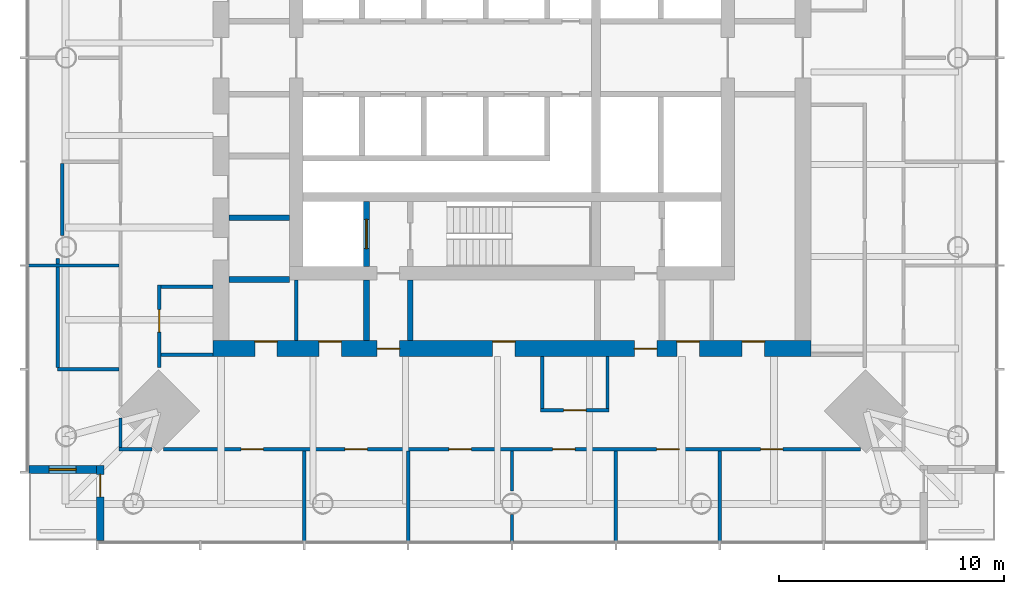
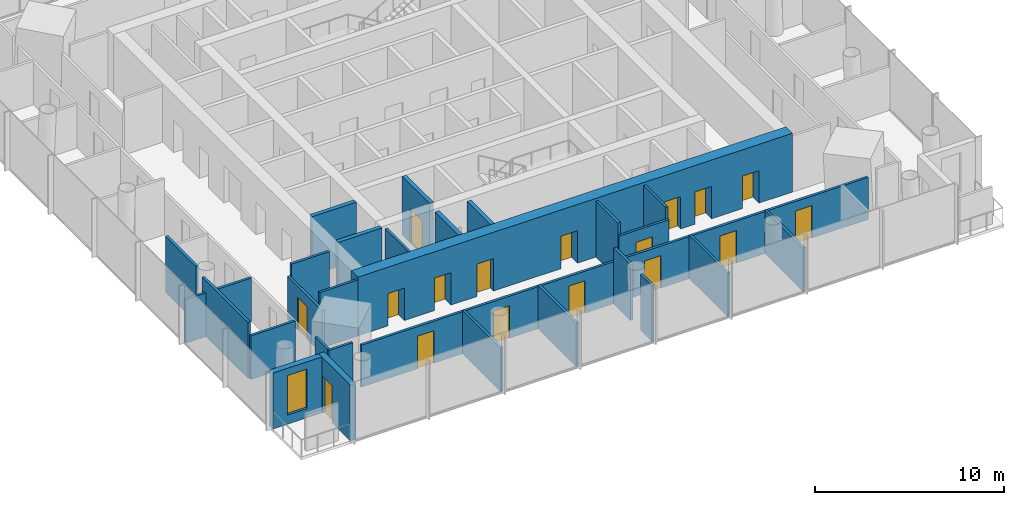
# One storey, part 4 of 9: 28 walls, 17 doors, 1 window, 18 openings.
"""IFC4 building model written with IfcOpenShell, lengths in metres."""

from ifc_helpers import new_model, si_unit, direction, frame, frame_2d, origin, place, context, subcontext, project, spatial, rectangle, extrude, material, layer, layer_set, type_object, element, fill, save


model = new_model("IFC4")

# Units and contexts
model_context = context("Model", 3, precision=1e-05, world=origin(), true_north=direction((0.0, 1.0)))
body_context = subcontext(model_context, "Body", "Model", "MODEL_VIEW")
ifc_project = project(units=[si_unit("LENGTHUNIT", "METRE"), si_unit("AREAUNIT", "SQUARE_METRE"), si_unit("VOLUMEUNIT", "CUBIC_METRE"), si_unit("PLANEANGLEUNIT", "RADIAN"), si_unit("MASSUNIT", "GRAM", prefix="KILO")], contexts=[model_context])

# Site, building, storey
site_placement = place(None, origin())
site = spatial("IfcSite", under=ifc_project, at=site_placement, CompositionType="ELEMENT")
building_placement = place(site_placement, origin())
building = spatial("IfcBuilding", under=site, at=building_placement, Name="Ostroluk Exchange", CompositionType="ELEMENT")
storey_placement = place(building_placement, frame((0.0, 0.0, 150.199951171875)))
storey = spatial("IfcBuildingStorey", under=building, at=storey_placement, Name="L38", CompositionType="ELEMENT", Elevation=150.199951171875)

# Walls
ifc_material_1 = material(Name="Concrete blockwork", Category="masonry")
ifc_layer_1 = layer(ifc_material_1, 0.14990234375)
ifc_layer_set_1 = layer_set([ifc_layer_1], Name="Blockwork plant room wall 150")
wall_type_1 = type_object("IfcWallType", Name="Blockwork plant room wall 150", PredefinedType="SOLIDWALL", material=ifc_layer_set_1)
wall_1_placement = place(storey_placement, frame((35.39990234375, 33.39990234375, 0.0), z_axis=(0.0, 0.0, 1.0), x_axis=(0.0, 1.0, 0.0)))
element("IfcWall", 1, at=wall_1_placement, inside=storey, type_object=wall_type_1, Name="Core room wall", PredefinedType="SOLIDWALL", context=body_context, shape_type="SweptSolid", body=[
    extrude(rectangle(XDim=2.7001953125, YDim=0.14990234375, at=frame_2d((1.35009765625, 0.0))), origin(), (0.0, 0.0, 1.0), 3.6201171875),
])
ifc_material_2 = material(Name="Concrete blockwork", Category="masonry")
ifc_layer_2 = layer(ifc_material_2, 0.25)
ifc_layer_set_2 = layer_set([ifc_layer_2], Name="Blockwork stair enclosure wall 250")
wall_type_2 = type_object("IfcWallType", Name="Blockwork stair enclosure wall 250", PredefinedType="SOLIDWALL", material=ifc_layer_set_2)
for number, where, z_axis, x_axis, name in (
    (2, (38.52490234375, 33.39990234375, 0.0), (0.0, 0.0, 1.0), (0.0, 1.0, 0.0), "Fire lobby enclosure wall"),
    (3, (40.47509765625, 33.39990234375, 0.0), (0.0, 0.0, 1.0), (0.0, 1.0, 0.0), "Fire lobby enclosure wall"),
):
    element("IfcWall", number, at=place(storey_placement, frame(where, z_axis=z_axis, x_axis=x_axis)), inside=storey, type_object=wall_type_2, Name=name, PredefinedType="SOLIDWALL", context=body_context, shape_type="SweptSolid", body=[
        extrude(rectangle(XDim=2.7001953125, YDim=0.25, at=frame_2d((1.35009765625, 0.0))), origin(), (0.0, 0.0, 1.0), 3.6201171875),
    ])

# Wall, opening, door
ifc_material_3 = material(Name="Concrete C40/50", Category="concrete")
ifc_layer_3 = layer(ifc_material_3, 0.25)
ifc_layer_set_3 = layer_set([ifc_layer_3], Name="Core shaft wall 250")
wall_type_3 = type_object("IfcWallType", Name="Core shaft wall 250", PredefinedType="SHEAR", material=ifc_layer_set_3)
wall_2_placement = place(storey_placement, frame((38.52490234375, 36.699951171875, 0.0), z_axis=(0.0, 0.0, 1.0), x_axis=(0.0, 1.0, 0.0)))
wall_2 = element("IfcWall", 4, at=wall_2_placement, inside=storey, type_object=wall_type_3, Name="Firefighting lift shaft wall", PredefinedType="SHEAR", context=body_context, shape_type="SweptSolid", body=[
    extrude(rectangle(XDim=2.900146484375, YDim=0.25, at=frame_2d((1.4501953125, 0.0))), origin(), (0.0, 0.0, 1.0), 3.800048828125),
])
opening_1_placement = place(wall_2_placement, frame((0.800048828125, 0.0, 0.0)))
opening_1 = element("IfcOpeningElement", 5, at=opening_1_placement, cuts=wall_2, Name="Opening LD2", PredefinedType="OPENING", context=body_context, shape_type="SweptSolid", body=[
    extrude(rectangle(XDim=1.300048828125, YDim=2.199951171875, at=frame_2d((0.64990234375, 1.10009765625))), frame((0.0, 0.135009765625, 0.0), z_axis=(0.0, -1.0, 0.0), x_axis=(1.0, 0.0, 0.0)), (0.0, 0.0, 1.0), 0.27001953125),
])
ifc_material_4 = material(Name="Stainless steel", Category="steel")
door_type_1 = type_object("IfcDoorType", Name="Lift landing door E 60 1300 x 2200", OperationType="DOUBLE_DOOR_SLIDING", PredefinedType="DOOR", material=ifc_material_4)
door_1_placement = place(opening_1_placement, origin())
door_1 = element("IfcDoor", 6, at=door_1_placement, inside=storey, type_object=door_type_1, Name="Lift FL1 landing door", OperationType="DOUBLE_DOOR_SLIDING", OverallHeight=2.199951171875, OverallWidth=1.300048828125, PredefinedType="DOOR", context=body_context, shape_type="SweptSolid", body=[
    extrude(rectangle(XDim=1.300048828125, YDim=2.199951171875, at=frame_2d((0.64990234375, 1.10009765625))), frame((0.0, 0.02490234375, 0.0), z_axis=(0.0, -1.0, 0.0), x_axis=(1.0, 0.0, 0.0)), (0.0, 0.0, 1.0), 0.050048828125),
])
fill(opening_1, door_1)

# Walls
for number, where, z_axis, x_axis, name in (
    (7, (32.39990234375, 36.125, 0.0), (0.0, 0.0, 1.0), (1.0, 0.0, 0.0), "Lift shaft wall"),
    (8, (32.39990234375, 38.875, 0.0), (0.0, 0.0, 1.0), (1.0, 0.0, 0.0), "Lift shaft wall"),
):
    element("IfcWall", number, at=place(storey_placement, frame(where, z_axis=z_axis, x_axis=x_axis)), inside=storey, type_object=wall_type_3, Name=name, PredefinedType="SHEAR", context=body_context, shape_type="SweptSolid", body=[
        extrude(rectangle(XDim=2.7001953125, YDim=0.25, at=frame_2d((1.35009765625, 0.0))), origin(), (0.0, 0.0, 1.0), 3.800048828125),
    ])

# Wall, openings, doors
ifc_material_5 = material(Name="Concrete C50/60", Category="concrete")
ifc_layer_4 = layer(ifc_material_5, 0.699951171875)
ifc_layer_set_4 = layer_set([ifc_layer_4], Name="Core wall 700 C50/60")
wall_type_4 = type_object("IfcWallType", Name="Core wall 700 C50/60", PredefinedType="SHEAR", material=ifc_layer_set_4)
wall_3_placement = place(storey_placement, frame((31.699951171875, 33.050048828125, 0.0), z_axis=(0.0, 0.0, 1.0), x_axis=(1.0, 0.0, 0.0)))
wall_3 = element("IfcWall", 9, at=wall_3_placement, inside=storey, type_object=wall_type_4, Name="T1 core wall RS", PredefinedType="SHEAR", context=body_context, shape_type="SweptSolid", body=[
    extrude(rectangle(XDim=26.60009765625, YDim=0.699951171875, at=frame_2d((13.300048828125, 0.0))), origin(), (0.0, 0.0, 1.0), 3.800048828125),
])
opening_2_placement = place(wall_3_placement, frame((7.300048828125, 0.0, 0.0)))
opening_2 = element("IfcOpeningElement", 10, at=opening_2_placement, cuts=wall_3, Name="Opening FD60", PredefinedType="OPENING", context=body_context, shape_type="SweptSolid", body=[
    extrude(rectangle(XDim=1.0, YDim=2.10009765625, at=frame_2d((0.5, 1.050048828125))), frame((0.0, 0.35986328125, 0.0), z_axis=(0.0, -1.0, 0.0), x_axis=(1.0, 0.0, 0.0)), (0.0, 0.0, 1.0), 0.719970703125),
])
opening_3_placement = place(wall_3_placement, frame((18.75, 0.0, 0.0)))
opening_3 = element("IfcOpeningElement", 11, at=opening_3_placement, cuts=wall_3, Name="Opening FD60", PredefinedType="OPENING", context=body_context, shape_type="SweptSolid", body=[
    extrude(rectangle(XDim=1.0, YDim=2.10009765625, at=frame_2d((0.5, 1.050048828125))), frame((0.0, 0.35986328125, 0.0), z_axis=(0.0, -1.0, 0.0), x_axis=(1.0, 0.0, 0.0)), (0.0, 0.0, 1.0), 0.719970703125),
])
opening_4_placement = place(wall_3_placement, frame((1.85009765625, 0.0, 0.0)))
opening_4 = element("IfcOpeningElement", 12, at=opening_4_placement, cuts=wall_3, Name="Opening FD60", PredefinedType="OPENING", context=body_context, shape_type="SweptSolid", body=[
    extrude(rectangle(XDim=1.0, YDim=2.10009765625, at=frame_2d((0.5, 1.050048828125))), frame((0.0, 0.35986328125, 0.0), z_axis=(0.0, -1.0, 0.0), x_axis=(1.0, 0.0, 0.0)), (0.0, 0.0, 1.0), 0.719970703125),
])
opening_5_placement = place(wall_3_placement, frame((4.699951171875, 0.0, 0.0)))
opening_5 = element("IfcOpeningElement", 13, at=opening_5_placement, cuts=wall_3, Name="Opening FD60", PredefinedType="OPENING", context=body_context, shape_type="SweptSolid", body=[
    extrude(rectangle(XDim=1.0, YDim=2.10009765625, at=frame_2d((0.5, 1.050048828125))), frame((0.0, 0.35986328125, 0.0), z_axis=(0.0, -1.0, 0.0), x_axis=(1.0, 0.0, 0.0)), (0.0, 0.0, 1.0), 0.719970703125),
])
opening_6_placement = place(wall_3_placement, frame((12.43994140625, 0.0, 0.0)))
opening_6 = element("IfcOpeningElement", 14, at=opening_6_placement, cuts=wall_3, Name="Opening FD60", PredefinedType="OPENING", context=body_context, shape_type="SweptSolid", body=[
    extrude(rectangle(XDim=1.0, YDim=2.10009765625, at=frame_2d((0.5, 1.050048828125))), frame((0.0, 0.35986328125, 0.0), z_axis=(0.0, -1.0, 0.0), x_axis=(1.0, 0.0, 0.0)), (0.0, 0.0, 1.0), 0.719970703125),
])
opening_7_placement = place(wall_3_placement, frame((20.64404296875, 0.0, 0.0)))
opening_7 = element("IfcOpeningElement", 15, at=opening_7_placement, cuts=wall_3, Name="Opening FD60", PredefinedType="OPENING", context=body_context, shape_type="SweptSolid", body=[
    extrude(rectangle(XDim=1.0, YDim=2.10009765625, at=frame_2d((0.5, 1.050048828125))), frame((0.0, 0.35986328125, 0.0), z_axis=(0.0, -1.0, 0.0), x_axis=(1.0, 0.0, 0.0)), (0.0, 0.0, 1.0), 0.719970703125),
])
opening_8_placement = place(wall_3_placement, frame((23.5439453125, 0.0, 0.0)))
opening_8 = element("IfcOpeningElement", 16, at=opening_8_placement, cuts=wall_3, Name="Opening FD60", PredefinedType="OPENING", context=body_context, shape_type="SweptSolid", body=[
    extrude(rectangle(XDim=1.0, YDim=2.10009765625, at=frame_2d((0.5, 1.050048828125))), frame((0.0, 0.35986328125, 0.0), z_axis=(0.0, -1.0, 0.0), x_axis=(1.0, 0.0, 0.0)), (0.0, 0.0, 1.0), 0.719970703125),
])
ifc_material_6 = material(Name="Steel", Category="steel")
door_type_2 = type_object("IfcDoorType", Name="Fire door EI 60 1000 x 2100", OperationType="SINGLE_SWING_LEFT", PredefinedType="DOOR", material=ifc_material_6)
door_2_placement = place(opening_2_placement, origin())
door_2 = element("IfcDoor", 17, at=door_2_placement, inside=storey, type_object=door_type_2, Name="Firefighting lobby door", OperationType="SINGLE_SWING_LEFT", OverallHeight=2.10009765625, OverallWidth=1.0, PredefinedType="DOOR", context=body_context, shape_type="SweptSolid", body=[
    extrude(rectangle(XDim=1.0, YDim=2.10009765625, at=frame_2d((0.5, 1.050048828125))), frame((0.0, 0.02490234375, 0.0), z_axis=(0.0, -1.0, 0.0), x_axis=(1.0, 0.0, 0.0)), (0.0, 0.0, 1.0), 0.050048828125),
])
fill(opening_2, door_2)
door_3_placement = place(opening_3_placement, origin())
door_3 = element("IfcDoor", 18, at=door_3_placement, inside=storey, type_object=door_type_2, Name="Service lobby door", OperationType="SINGLE_SWING_RIGHT", OverallHeight=2.10009765625, OverallWidth=1.0, PredefinedType="DOOR", context=body_context, shape_type="SweptSolid", body=[
    extrude(rectangle(XDim=1.0, YDim=2.10009765625, at=frame_2d((0.5, 1.050048828125))), frame((0.0, 0.02490234375, 0.0), z_axis=(0.0, -1.0, 0.0), x_axis=(1.0, 0.0, 0.0)), (0.0, 0.0, 1.0), 0.050048828125),
])
fill(opening_3, door_3)
door_4_placement = place(opening_4_placement, origin())
door_4 = element("IfcDoor", 19, at=door_4_placement, inside=storey, type_object=door_type_2, Name="Archive door", OperationType="SINGLE_SWING_LEFT", OverallHeight=2.10009765625, OverallWidth=1.0, PredefinedType="DOOR", context=body_context, shape_type="SweptSolid", body=[
    extrude(rectangle(XDim=1.0, YDim=2.10009765625, at=frame_2d((0.5, 1.050048828125))), frame((0.0, 0.33984375, 0.0), z_axis=(0.0, -1.0, 0.0), x_axis=(1.0, 0.0, 0.0)), (0.0, 0.0, 1.0), 0.050048828125),
])
fill(opening_4, door_4)
door_5_placement = place(opening_5_placement, origin())
door_5 = element("IfcDoor", 20, at=door_5_placement, inside=storey, type_object=door_type_2, Name="Tenant IT room door", OperationType="SINGLE_SWING_LEFT", OverallHeight=2.10009765625, OverallWidth=1.0, PredefinedType="DOOR", context=body_context, shape_type="SweptSolid", body=[
    extrude(rectangle(XDim=1.0, YDim=2.10009765625, at=frame_2d((0.5, 1.050048828125))), frame((0.0, 0.33984375, 0.0), z_axis=(0.0, -1.0, 0.0), x_axis=(1.0, 0.0, 0.0)), (0.0, 0.0, 1.0), 0.050048828125),
])
fill(opening_5, door_5)
door_6_placement = place(opening_6_placement, origin())
door_6 = element("IfcDoor", 21, at=door_6_placement, inside=storey, type_object=door_type_2, Name="Tea point door", OperationType="SINGLE_SWING_LEFT", OverallHeight=2.10009765625, OverallWidth=1.0, PredefinedType="DOOR", context=body_context, shape_type="SweptSolid", body=[
    extrude(rectangle(XDim=1.0, YDim=2.10009765625, at=frame_2d((0.5, 1.050048828125))), frame((0.0, 0.33984375, 0.0), z_axis=(0.0, -1.0, 0.0), x_axis=(1.0, 0.0, 0.0)), (0.0, 0.0, 1.0), 0.050048828125),
])
fill(opening_6, door_6)
door_7_placement = place(opening_7_placement, origin())
door_7 = element("IfcDoor", 22, at=door_7_placement, inside=storey, type_object=door_type_2, Name="Store door", OperationType="SINGLE_SWING_RIGHT", OverallHeight=2.10009765625, OverallWidth=1.0, PredefinedType="DOOR", context=body_context, shape_type="SweptSolid", body=[
    extrude(rectangle(XDim=1.0, YDim=2.10009765625, at=frame_2d((0.5, 1.050048828125))), frame((0.0, 0.33984375, 0.0), z_axis=(0.0, -1.0, 0.0), x_axis=(1.0, 0.0, 0.0)), (0.0, 0.0, 1.0), 0.050048828125),
])
fill(opening_7, door_7)
door_8_placement = place(opening_8_placement, origin())
door_8 = element("IfcDoor", 23, at=door_8_placement, inside=storey, type_object=door_type_2, Name="First aid room door", OperationType="SINGLE_SWING_RIGHT", OverallHeight=2.10009765625, OverallWidth=1.0, PredefinedType="DOOR", context=body_context, shape_type="SweptSolid", body=[
    extrude(rectangle(XDim=1.0, YDim=2.10009765625, at=frame_2d((0.5, 1.050048828125))), frame((0.0, 0.33984375, 0.0), z_axis=(0.0, -1.0, 0.0), x_axis=(1.0, 0.0, 0.0)), (0.0, 0.0, 1.0), 0.050048828125),
])
fill(opening_8, door_8)

# Wall, opening, door
ifc_material_7 = material(Name="Limestone", Category="masonry")
ifc_layer_5 = layer(ifc_material_7, 0.35009765625)
ifc_layer_set_5 = layer_set([ifc_layer_5], Name="Limestone facade wall 350")
wall_type_5 = type_object("IfcWallType", Name="Limestone facade wall 350", PredefinedType="SOLIDWALL", material=ifc_layer_set_5)
wall_4_placement = place(storey_placement, frame((26.675048828125, 24.5, 0.0), z_axis=(0.0, 0.0, 1.0), x_axis=(0.0, 1.0, 0.0)))
wall_4 = element("IfcWall", 24, at=wall_4_placement, inside=storey, type_object=wall_type_5, Name="Office tower SW corner wall L38 a", PredefinedType="SOLIDWALL", context=body_context, shape_type="SweptSolid", body=[
    extrude(rectangle(XDim=3.35009765625, YDim=0.35009765625, at=frame_2d((1.675048828125, 0.0))), origin(), (0.0, 0.0, 1.0), 3.6201171875),
])
opening_9_placement = place(wall_4_placement, frame((1.949951171875, 0.0, 0.0)))
opening_9 = element("IfcOpeningElement", 25, at=opening_9_placement, cuts=wall_4, Name="Opening D-B1", PredefinedType="OPENING", context=body_context, shape_type="SweptSolid", body=[
    extrude(rectangle(XDim=1.0, YDim=2.39990234375, at=frame_2d((0.5, 1.199951171875))), frame((0.0, 0.18505859375, 0.0), z_axis=(0.0, -1.0, 0.0), x_axis=(1.0, 0.0, 0.0)), (0.0, 0.0, 1.0), 0.3701171875),
])
ifc_material_8 = material(Name="Bronze framed glazed door", Category="aluminium")
door_type_3 = type_object("IfcDoorType", Name="Balcony door 1000 x 2400", OperationType="SINGLE_SWING_LEFT", PredefinedType="DOOR", material=ifc_material_8)
door_9_placement = place(opening_9_placement, origin())
door_9 = element("IfcDoor", 26, at=door_9_placement, inside=storey, type_object=door_type_3, Name="Office tower SW balcony door L38", OperationType="SINGLE_SWING_RIGHT", OverallHeight=2.39990234375, OverallWidth=1.0, PredefinedType="DOOR", context=body_context, shape_type="SweptSolid", body=[
    extrude(rectangle(XDim=1.0, YDim=2.39990234375, at=frame_2d((0.5, 1.199951171875))), frame((0.0, 0.02490234375, 0.0), z_axis=(0.0, -1.0, 0.0), x_axis=(1.0, 0.0, 0.0)), (0.0, 0.0, 1.0), 0.050048828125),
])
fill(opening_9, door_9)

# Wall, opening, window
wall_5_placement = place(storey_placement, frame((26.5, 27.675048828125, 0.0), z_axis=(0.0, 0.0, 1.0), x_axis=(-1.0, 0.0, 0.0)))
wall_5 = element("IfcWall", 27, at=wall_5_placement, inside=storey, type_object=wall_type_5, Name="Office tower SW corner wall L38 b", PredefinedType="SOLIDWALL", context=body_context, shape_type="SweptSolid", body=[
    extrude(rectangle(XDim=3.0, YDim=0.35009765625, at=frame_2d((1.5, 0.0))), origin(), (0.0, 0.0, 1.0), 3.6201171875),
])
opening_10_placement = place(wall_5_placement, frame((0.89990234375, 0.0, 0.60009765625)))
opening_10 = element("IfcOpeningElement", 28, at=opening_10_placement, cuts=wall_5, Name="Opening WN-L1", PredefinedType="OPENING", context=body_context, shape_type="SweptSolid", body=[
    extrude(rectangle(XDim=1.199951171875, YDim=2.550048828125, at=frame_2d((0.60009765625, 1.27490234375))), frame((0.0, 0.18505859375, 0.0), z_axis=(0.0, -1.0, 0.0), x_axis=(1.0, 0.0, 0.0)), (0.0, 0.0, 1.0), 0.3701171875),
])
ifc_material_9 = material(Name="Laminated clear glass", Category="glass")
window_type = type_object("IfcWindowType", Name="Lancet window 1200 x 2550", PartitioningType="SINGLE_PANEL", PredefinedType="WINDOW", material=ifc_material_9)
window_placement = place(opening_10_placement, origin())
window = element("IfcWindow", 29, at=window_placement, inside=storey, type_object=window_type, Name="Office tower SW lancet window L38", OverallHeight=2.550048828125, OverallWidth=1.199951171875, PartitioningType="SINGLE_PANEL", PredefinedType="WINDOW", context=body_context, shape_type="SweptSolid", body=[
    extrude(rectangle(XDim=1.199951171875, YDim=2.550048828125, at=frame_2d((0.60009765625, 1.27490234375))), frame((0.0, 0.030029296875, 0.0), z_axis=(0.0, -1.0, 0.0), x_axis=(1.0, 0.0, 0.0)), (0.0, 0.0, 1.0), 0.06005859375),
])
fill(opening_10, window)

# Wall, opening, door
ifc_material_10 = material(Name="Gypsum plasterboard partition", Category="gypsum")
ifc_layer_6 = layer(ifc_material_10, 0.14990234375)
ifc_layer_set_6 = layer_set([ifc_layer_6], Name="Plasterboard partition 150")
wall_type_6 = type_object("IfcWallType", Name="Plasterboard partition 150", PredefinedType="PARTITIONING", material=ifc_layer_set_6)
wall_6_placement = place(storey_placement, frame((29.300048828125, 35.875, 0.0), z_axis=(0.0, 0.0, 1.0), x_axis=(0.0, -1.0, 0.0)))
wall_6 = element("IfcWall", 30, at=wall_6_placement, inside=storey, type_object=wall_type_6, Name="Partition", PredefinedType="PARTITIONING", context=body_context, shape_type="SweptSolid", body=[
    extrude(rectangle(XDim=3.675048828125, YDim=0.14990234375, at=frame_2d((1.83740234375, 0.0))), origin(), (0.0, 0.0, 1.0), 2.80615234375),
])
opening_11_placement = place(wall_6_placement, frame((1.08740234375, 0.0, 0.0)))
opening_11 = element("IfcOpeningElement", 31, at=opening_11_placement, cuts=wall_6, Name="Opening D-03", PredefinedType="OPENING", context=body_context, shape_type="SweptSolid", body=[
    extrude(rectangle(XDim=1.0, YDim=2.10009765625, at=frame_2d((0.5, 1.050048828125))), frame((0.0, 0.0849609375, 0.0), z_axis=(0.0, -1.0, 0.0), x_axis=(1.0, 0.0, 0.0)), (0.0, 0.0, 1.0), 0.169921875),
])
ifc_material_11 = material(Name="Timber", Category="wood")
door_type_4 = type_object("IfcDoorType", Name="Internal door 1000 x 2100", OperationType="SINGLE_SWING_LEFT", PredefinedType="DOOR", material=ifc_material_11)
door_10_placement = place(opening_11_placement, origin())
door_10 = element("IfcDoor", 32, at=door_10_placement, inside=storey, type_object=door_type_4, Name="Interview room door", OperationType="SINGLE_SWING_LEFT", OverallHeight=2.10009765625, OverallWidth=1.0, PredefinedType="DOOR", context=body_context, shape_type="SweptSolid", body=[
    extrude(rectangle(XDim=1.0, YDim=2.10009765625, at=frame_2d((0.5, 1.050048828125))), frame((0.0, 0.02490234375, 0.0), z_axis=(0.0, -1.0, 0.0), x_axis=(1.0, 0.0, 0.0)), (0.0, 0.0, 1.0), 0.050048828125),
])
fill(opening_11, door_10)

# Walls
for number, where, z_axis, x_axis, name in (
    (33, (31.699951171875, 35.800048828125, 0.0), (0.0, 0.0, 1.0), (-1.0, 0.0, 0.0), "Partition"),
    (34, (31.699951171875, 32.77490234375, 0.0), (0.0, 0.0, 1.0), (-1.0, 0.0, 0.0), "Partition"),
):
    element("IfcWall", number, at=place(storey_placement, frame(where, z_axis=z_axis, x_axis=x_axis)), inside=storey, type_object=wall_type_6, Name=name, PredefinedType="PARTITIONING", context=body_context, shape_type="SweptSolid", body=[
        extrude(rectangle(XDim=2.324951171875, YDim=0.14990234375, at=frame_2d((1.16259765625, 0.0))), origin(), (0.0, 0.0, 1.0), 3.6201171875),
    ])

# Wall, opening, door
wall_7_placement = place(storey_placement, frame((46.264892578125, 30.300048828125, 0.0), z_axis=(0.0, 0.0, 1.0), x_axis=(1.0, 0.0, 0.0)))
wall_7 = element("IfcWall", 35, at=wall_7_placement, inside=storey, type_object=wall_type_6, Name="Partition", PredefinedType="PARTITIONING", context=body_context, shape_type="SweptSolid", body=[
    extrude(rectangle(XDim=3.06005859375, YDim=0.14990234375, at=frame_2d((1.530029296875, 0.0))), origin(), (0.0, 0.0, 1.0), 2.858154296875),
])
opening_12_placement = place(wall_7_placement, frame((1.030029296875, 0.0, 0.0)))
opening_12 = element("IfcOpeningElement", 36, at=opening_12_placement, cuts=wall_7, Name="Opening D-03", PredefinedType="OPENING", context=body_context, shape_type="SweptSolid", body=[
    extrude(rectangle(XDim=1.0, YDim=2.10009765625, at=frame_2d((0.5, 1.050048828125))), frame((0.0, 0.0849609375, 0.0), z_axis=(0.0, -1.0, 0.0), x_axis=(1.0, 0.0, 0.0)), (0.0, 0.0, 1.0), 0.169921875),
])
door_11_placement = place(opening_12_placement, origin())
door_11 = element("IfcDoor", 37, at=door_11_placement, inside=storey, type_object=door_type_4, Name="Meeting room door", OperationType="SINGLE_SWING_LEFT", OverallHeight=2.10009765625, OverallWidth=1.0, PredefinedType="DOOR", context=body_context, shape_type="SweptSolid", body=[
    extrude(rectangle(XDim=1.0, YDim=2.10009765625, at=frame_2d((0.5, 1.050048828125))), frame((0.0, 0.02490234375, 0.0), z_axis=(0.0, -1.0, 0.0), x_axis=(1.0, 0.0, 0.0)), (0.0, 0.0, 1.0), 0.050048828125),
])
fill(opening_12, door_11)

# Walls
for number, where, z_axis, x_axis, name in (
    (38, (46.340087890625, 32.699951171875, 0.0), (0.0, 0.0, 1.0), (0.0, -1.0, 0.0), "Partition"),
    (39, (49.25, 32.699951171875, 0.0), (0.0, 0.0, 1.0), (0.0, -1.0, 0.0), "Partition"),
):
    element("IfcWall", number, at=place(storey_placement, frame(where, z_axis=z_axis, x_axis=x_axis)), inside=storey, type_object=wall_type_6, Name=name, PredefinedType="PARTITIONING", context=body_context, shape_type="SweptSolid", body=[
        extrude(rectangle(XDim=2.324951171875, YDim=0.14990234375, at=frame_2d((1.16259765625, 0.0))), origin(), (0.0, 0.0, 1.0), 3.6201171875),
    ])
wall_8_placement = place(storey_placement, frame((27.574951171875, 29.96875, 0.0), z_axis=(0.0, 0.0, 1.0), x_axis=(0.0, -1.0, 0.0)))
element("IfcWall", 40, at=wall_8_placement, inside=storey, type_object=wall_type_6, Name="Partition", PredefinedType="PARTITIONING", context=body_context, shape_type="SweptSolid", body=[
    extrude(rectangle(XDim=1.31884765625, YDim=0.14990234375, at=frame_2d((0.659423828125, 0.0))), origin(), (0.0, 0.0, 1.0), 3.070068359375),
])
wall_9_placement = place(storey_placement, frame((27.5, 36.75, 0.0), z_axis=(0.0, 0.0, 1.0), x_axis=(-1.0, 0.0, 0.0)))
element("IfcWall", 41, at=wall_9_placement, inside=storey, type_object=wall_type_6, Name="Partition", PredefinedType="PARTITIONING", context=body_context, shape_type="SweptSolid", body=[
    extrude(rectangle(XDim=4.0400390625, YDim=0.14990234375, at=frame_2d((2.02001953125, 0.0))), origin(), (0.0, 0.0, 1.0), 2.820068359375),
])
wall_10_placement = place(storey_placement, frame((27.5, 32.125, 0.0), z_axis=(0.0, 0.0, 1.0), x_axis=(-1.0, 0.0, 0.0)))
element("IfcWall", 42, at=wall_10_placement, inside=storey, type_object=wall_type_6, Name="Partition", PredefinedType="PARTITIONING", context=body_context, shape_type="SweptSolid", body=[
    extrude(rectangle(XDim=2.72509765625, YDim=0.14990234375, at=frame_2d((1.362548828125, 0.0))), origin(), (0.0, 0.0, 1.0), 2.820068359375),
])
wall_11_placement = place(storey_placement, frame((27.5, 28.574951171875, 0.0), z_axis=(0.0, 0.0, 1.0), x_axis=(1.0, 0.0, 0.0)))
element("IfcWall", 43, at=wall_11_placement, inside=storey, type_object=wall_type_6, Name="Partition", PredefinedType="PARTITIONING", context=body_context, shape_type="SweptSolid", body=[
    extrude(rectangle(XDim=1.46875, YDim=0.14990234375, at=frame_2d((0.734375, 0.0))), origin(), (0.0, 0.0, 1.0), 3.070068359375),
])

# Wall, openings, doors
wall_12_placement = place(storey_placement, frame((29.488525390625, 28.574951171875, 0.0), z_axis=(0.0, 0.0, 1.0), x_axis=(1.0, 0.0, 0.0)))
wall_12 = element("IfcWall", 44, at=wall_12_placement, inside=storey, type_object=wall_type_6, Name="Partition", PredefinedType="PARTITIONING", context=body_context, shape_type="SweptSolid", body=[
    extrude(rectangle(XDim=31.02294921875, YDim=0.14990234375, at=frame_2d((15.511474609375, 0.0))), origin(), (0.0, 0.0, 1.0), 2.719970703125),
])
opening_13_placement = place(wall_12_placement, frame((3.448974609375, 0.0, 0.0)))
opening_13 = element("IfcOpeningElement", 45, at=opening_13_placement, cuts=wall_12, Name="Opening D-03", PredefinedType="OPENING", context=body_context, shape_type="SweptSolid", body=[
    extrude(rectangle(XDim=1.0, YDim=2.10009765625, at=frame_2d((0.5, 1.050048828125))), frame((0.0, 0.0849609375, 0.0), z_axis=(0.0, -1.0, 0.0), x_axis=(1.0, 0.0, 0.0)), (0.0, 0.0, 1.0), 0.169921875),
])
opening_14_placement = place(wall_12_placement, frame((8.073974609375, 0.0, 0.0)))
opening_14 = element("IfcOpeningElement", 46, at=opening_14_placement, cuts=wall_12, Name="Opening D-03", PredefinedType="OPENING", context=body_context, shape_type="SweptSolid", body=[
    extrude(rectangle(XDim=1.0, YDim=2.10009765625, at=frame_2d((0.5, 1.050048828125))), frame((0.0, 0.0849609375, 0.0), z_axis=(0.0, -1.0, 0.0), x_axis=(1.0, 0.0, 0.0)), (0.0, 0.0, 1.0), 0.169921875),
])
opening_15_placement = place(wall_12_placement, frame((12.698974609375, 0.0, 0.0)))
opening_15 = element("IfcOpeningElement", 47, at=opening_15_placement, cuts=wall_12, Name="Opening D-03", PredefinedType="OPENING", context=body_context, shape_type="SweptSolid", body=[
    extrude(rectangle(XDim=1.0, YDim=2.10009765625, at=frame_2d((0.5, 1.050048828125))), frame((0.0, 0.0849609375, 0.0), z_axis=(0.0, -1.0, 0.0), x_axis=(1.0, 0.0, 0.0)), (0.0, 0.0, 1.0), 0.169921875),
])
opening_16_placement = place(wall_12_placement, frame((17.323974609375, 0.0, 0.0)))
opening_16 = element("IfcOpeningElement", 48, at=opening_16_placement, cuts=wall_12, Name="Opening D-03", PredefinedType="OPENING", context=body_context, shape_type="SweptSolid", body=[
    extrude(rectangle(XDim=1.0, YDim=2.10009765625, at=frame_2d((0.5, 1.050048828125))), frame((0.0, 0.0849609375, 0.0), z_axis=(0.0, -1.0, 0.0), x_axis=(1.0, 0.0, 0.0)), (0.0, 0.0, 1.0), 0.169921875),
])
opening_17_placement = place(wall_12_placement, frame((21.948974609375, 0.0, 0.0)))
opening_17 = element("IfcOpeningElement", 49, at=opening_17_placement, cuts=wall_12, Name="Opening D-03", PredefinedType="OPENING", context=body_context, shape_type="SweptSolid", body=[
    extrude(rectangle(XDim=1.0, YDim=2.10009765625, at=frame_2d((0.5, 1.050048828125))), frame((0.0, 0.0849609375, 0.0), z_axis=(0.0, -1.0, 0.0), x_axis=(1.0, 0.0, 0.0)), (0.0, 0.0, 1.0), 0.169921875),
])
opening_18_placement = place(wall_12_placement, frame((26.573974609375, 0.0, 0.0)))
opening_18 = element("IfcOpeningElement", 50, at=opening_18_placement, cuts=wall_12, Name="Opening D-03", PredefinedType="OPENING", context=body_context, shape_type="SweptSolid", body=[
    extrude(rectangle(XDim=1.0, YDim=2.10009765625, at=frame_2d((0.5, 1.050048828125))), frame((0.0, 0.0849609375, 0.0), z_axis=(0.0, -1.0, 0.0), x_axis=(1.0, 0.0, 0.0)), (0.0, 0.0, 1.0), 0.169921875),
])
door_12_placement = place(opening_13_placement, origin())
door_12 = element("IfcDoor", 51, at=door_12_placement, inside=storey, type_object=door_type_4, Name="Office suite door", OperationType="SINGLE_SWING_LEFT", OverallHeight=2.10009765625, OverallWidth=1.0, PredefinedType="DOOR", context=body_context, shape_type="SweptSolid", body=[
    extrude(rectangle(XDim=1.0, YDim=2.10009765625, at=frame_2d((0.5, 1.050048828125))), frame((0.0, 0.02490234375, 0.0), z_axis=(0.0, -1.0, 0.0), x_axis=(1.0, 0.0, 0.0)), (0.0, 0.0, 1.0), 0.050048828125),
])
fill(opening_13, door_12)
door_13_placement = place(opening_14_placement, origin())
door_13 = element("IfcDoor", 52, at=door_13_placement, inside=storey, type_object=door_type_4, Name="Meeting room door", OperationType="SINGLE_SWING_LEFT", OverallHeight=2.10009765625, OverallWidth=1.0, PredefinedType="DOOR", context=body_context, shape_type="SweptSolid", body=[
    extrude(rectangle(XDim=1.0, YDim=2.10009765625, at=frame_2d((0.5, 1.050048828125))), frame((0.0, 0.02490234375, 0.0), z_axis=(0.0, -1.0, 0.0), x_axis=(1.0, 0.0, 0.0)), (0.0, 0.0, 1.0), 0.050048828125),
])
fill(opening_14, door_13)
door_14_placement = place(opening_15_placement, origin())
door_14 = element("IfcDoor", 53, at=door_14_placement, inside=storey, type_object=door_type_4, Name="Pantry door", OperationType="SINGLE_SWING_LEFT", OverallHeight=2.10009765625, OverallWidth=1.0, PredefinedType="DOOR", context=body_context, shape_type="SweptSolid", body=[
    extrude(rectangle(XDim=1.0, YDim=2.10009765625, at=frame_2d((0.5, 1.050048828125))), frame((0.0, 0.02490234375, 0.0), z_axis=(0.0, -1.0, 0.0), x_axis=(1.0, 0.0, 0.0)), (0.0, 0.0, 1.0), 0.050048828125),
])
fill(opening_15, door_14)
door_15_placement = place(opening_16_placement, origin())
door_15 = element("IfcDoor", 54, at=door_15_placement, inside=storey, type_object=door_type_4, Name="Focus room door", OperationType="SINGLE_SWING_RIGHT", OverallHeight=2.10009765625, OverallWidth=1.0, PredefinedType="DOOR", context=body_context, shape_type="SweptSolid", body=[
    extrude(rectangle(XDim=1.0, YDim=2.10009765625, at=frame_2d((0.5, 1.050048828125))), frame((0.0, 0.02490234375, 0.0), z_axis=(0.0, -1.0, 0.0), x_axis=(1.0, 0.0, 0.0)), (0.0, 0.0, 1.0), 0.050048828125),
])
fill(opening_16, door_15)
door_16_placement = place(opening_17_placement, origin())
door_16 = element("IfcDoor", 55, at=door_16_placement, inside=storey, type_object=door_type_4, Name="Office door", OperationType="SINGLE_SWING_RIGHT", OverallHeight=2.10009765625, OverallWidth=1.0, PredefinedType="DOOR", context=body_context, shape_type="SweptSolid", body=[
    extrude(rectangle(XDim=1.0, YDim=2.10009765625, at=frame_2d((0.5, 1.050048828125))), frame((0.0, 0.02490234375, 0.0), z_axis=(0.0, -1.0, 0.0), x_axis=(1.0, 0.0, 0.0)), (0.0, 0.0, 1.0), 0.050048828125),
])
fill(opening_17, door_16)
door_17_placement = place(opening_18_placement, origin())
door_17 = element("IfcDoor", 56, at=door_17_placement, inside=storey, type_object=door_type_4, Name="Office door", OperationType="SINGLE_SWING_RIGHT", OverallHeight=2.10009765625, OverallWidth=1.0, PredefinedType="DOOR", context=body_context, shape_type="SweptSolid", body=[
    extrude(rectangle(XDim=1.0, YDim=2.10009765625, at=frame_2d((0.5, 1.050048828125))), frame((0.0, 0.02490234375, 0.0), z_axis=(0.0, -1.0, 0.0), x_axis=(1.0, 0.0, 0.0)), (0.0, 0.0, 1.0), 0.050048828125),
])
fill(opening_18, door_17)

# Walls
for number, where, z_axis, x_axis, name in (
    (57, (35.75, 28.5, 0.0), (0.0, 0.0, 1.0), (0.0, -1.0, 0.0), "Partition"),
    (58, (40.375, 28.5, 0.0), (0.0, 0.0, 1.0), (0.0, -1.0, 0.0), "Partition"),
):
    element("IfcWall", number, at=place(storey_placement, frame(where, z_axis=z_axis, x_axis=x_axis)), inside=storey, type_object=wall_type_6, Name=name, PredefinedType="PARTITIONING", context=body_context, shape_type="SweptSolid", body=[
        extrude(rectangle(XDim=4.0400390625, YDim=0.14990234375, at=frame_2d((2.02001953125, 0.0))), origin(), (0.0, 0.0, 1.0), 2.820068359375),
    ])
wall_13_placement = place(storey_placement, frame((45.0, 28.5, 0.0), z_axis=(0.0, 0.0, 1.0), x_axis=(0.0, -1.0, 0.0)))
element("IfcWall", 59, at=wall_13_placement, inside=storey, type_object=wall_type_6, Name="Partition", PredefinedType="PARTITIONING", context=body_context, shape_type="SweptSolid", body=[
    extrude(rectangle(XDim=1.79296875, YDim=0.14990234375, at=frame_2d((0.896484375, 0.0))), origin(), (0.0, 0.0, 1.0), 3.6201171875),
])
wall_14_placement = place(storey_placement, frame((45.0, 25.671630859375, 0.0), z_axis=(0.0, 0.0, 1.0), x_axis=(0.0, -1.0, 0.0)))
element("IfcWall", 60, at=wall_14_placement, inside=storey, type_object=wall_type_6, Name="Partition", PredefinedType="PARTITIONING", context=body_context, shape_type="SweptSolid", body=[
    extrude(rectangle(XDim=1.211669921875, YDim=0.14990234375, at=frame_2d((0.60595703125, 0.0))), origin(), (0.0, 0.0, 1.0), 3.6201171875),
])
for number, where, z_axis, x_axis, name in (
    (61, (49.625, 28.5, 0.0), (0.0, 0.0, 1.0), (0.0, -1.0, 0.0), "Partition"),
    (62, (54.25, 28.5, 0.0), (0.0, 0.0, 1.0), (0.0, -1.0, 0.0), "Partition"),
):
    element("IfcWall", number, at=place(storey_placement, frame(where, z_axis=z_axis, x_axis=x_axis)), inside=storey, type_object=wall_type_6, Name=name, PredefinedType="PARTITIONING", context=body_context, shape_type="SweptSolid", body=[
        extrude(rectangle(XDim=4.0400390625, YDim=0.14990234375, at=frame_2d((2.02001953125, 0.0))), origin(), (0.0, 0.0, 1.0), 2.820068359375),
    ])
ifc_material_12 = material(Name="Gypsum plasterboard partition, moisture resistant", Category="gypsum")
ifc_layer_7 = layer(ifc_material_12, 0.14990234375)
ifc_layer_set_7 = layer_set([ifc_layer_7], Name="Plasterboard toilet partition 150")
wall_type_7 = type_object("IfcWallType", Name="Plasterboard toilet partition 150", PredefinedType="PARTITIONING", material=ifc_layer_set_7)
wall_15_placement = place(storey_placement, frame((24.97509765625, 41.300048828125, 0.0), z_axis=(0.0, 0.0, 1.0), x_axis=(0.0, -1.0, 0.0)))
element("IfcWall", 63, at=wall_15_placement, inside=storey, type_object=wall_type_7, Name="Toilet partition", PredefinedType="PARTITIONING", context=body_context, shape_type="SweptSolid", body=[
    extrude(rectangle(XDim=3.218017578125, YDim=0.14990234375, at=frame_2d((1.60888671875, 0.0))), origin(), (0.0, 0.0, 1.0), 3.6201171875),
])
wall_16_placement = place(storey_placement, frame((24.77490234375, 37.06494140625, 0.0), z_axis=(0.0, 0.0, 1.0), x_axis=(0.0, -1.0, 0.0)))
element("IfcWall", 64, at=wall_16_placement, inside=storey, type_object=wall_type_7, Name="Toilet partition", PredefinedType="PARTITIONING", context=body_context, shape_type="SweptSolid", body=[
    extrude(rectangle(XDim=4.864990234375, YDim=0.14990234375, at=frame_2d((2.4326171875, 0.0))), origin(), (0.0, 0.0, 1.0), 3.6201171875),
])

save(model, "model.ifc")
